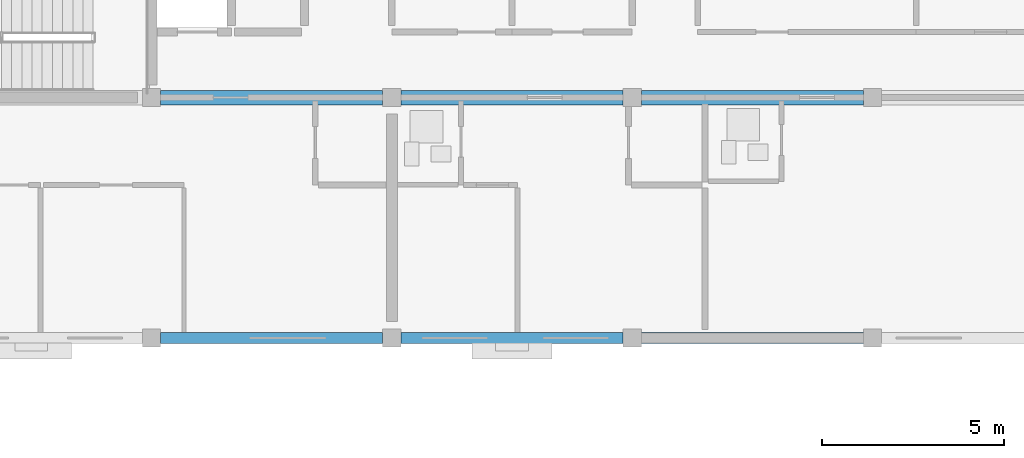
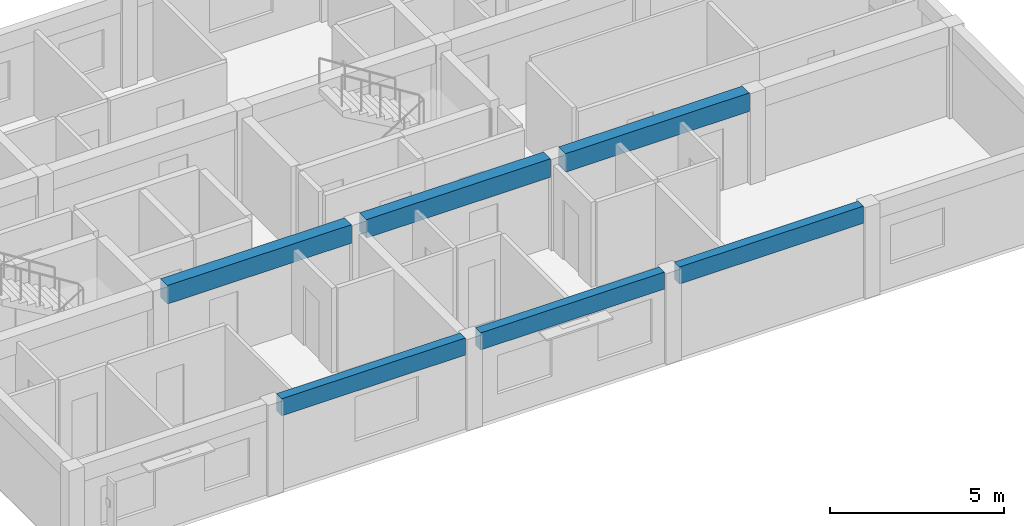
# One storey, part 19 of 49: 6 beams.
"""IFC4 building model written with IfcOpenShell, lengths in metres."""

import ifcopenshell
import ifcopenshell.guid

model = None  # the IFC model being written
_history = None  # IfcOwnerHistory: only IFC2X3 demands one
_inside = {}  # id of a spatial element -> (the spatial element, [elements in it])
_under = {}  # id of a project, library or spatial element -> (it, [spatial elements below it])
_declared = {}  # id of a project -> (the project, [libraries it declares])
_typed = {}  # id of a type object -> (the type object, [elements of that type])
_made_of = {}  # id of a material, layer set ... -> (it, [elements and type objects made of it])


def new_model(schema):
    """Start an empty IFC model of exactly this schema.

    Asked for "IFC4X3", IfcOpenShell would pick the latest addendum, in which some entities
    have other attributes; the version numbers below select the first issue.
    IFC2X3 requires an IfcOwnerHistory on every rooted entity: one is made here for all.
    """
    global model, _history
    if schema == "IFC4X3":
        model = ifcopenshell.file(schema_version=(4, 3, 0, 0))
    else:
        model = ifcopenshell.file(schema=schema)
    _inside.clear()
    _under.clear()
    _declared.clear()
    _typed.clear()
    _made_of.clear()
    _history = None
    if model.schema == "IFC2X3":
        org = make("IfcOrganization", Name="unknown")
        user = make(
            "IfcPersonAndOrganization",
            ThePerson=make("IfcPerson", FamilyName="unknown"),
            TheOrganization=org,
        )
        app = make(
            "IfcApplication",
            ApplicationDeveloper=org,
            Version="unknown",
            ApplicationFullName="unknown",
            ApplicationIdentifier="unknown",
        )
        _history = make(
            "IfcOwnerHistory",
            OwningUser=user,
            OwningApplication=app,
            ChangeAction="ADDED",
            CreationDate=0,
        )
    return model


def make(cls, **values):
    """One entity of the class cls with the attributes given. An attribute that is None is left unset."""
    return model.create_entity(
        cls, **{name: value for name, value in values.items() if value is not None}
    )


def rooted(cls, **values):
    """An entity with a GlobalId (a new one), such as an element, a storey or a relation."""
    return make(cls, GlobalId=ifcopenshell.guid.new(), OwnerHistory=_history, **values)


def si_unit(unit_type, name, prefix=None):
    """IfcSIUnit, for example si_unit("LENGTHUNIT", "METRE", prefix="MILLI")."""
    return make("IfcSIUnit", UnitType=unit_type, Prefix=prefix, Name=name)


def assignment(units):
    """IfcUnitAssignment: the units of a project."""
    return None if units is None else make("IfcUnitAssignment", Units=units)


def point(xyz):
    """IfcCartesianPoint."""
    return None if xyz is None else make("IfcCartesianPoint", Coordinates=xyz)


def direction(xyz):
    """IfcDirection."""
    return None if xyz is None else make("IfcDirection", DirectionRatios=xyz)


def frame(location, z_axis=None, x_axis=None):
    """IfcAxis2Placement3D, a coordinate frame: its origin and axes. An axis left out is left unset."""
    return make(
        "IfcAxis2Placement3D",
        Location=point(location),
        Axis=direction(z_axis),
        RefDirection=direction(x_axis),
    )


def frame_2d(location, x_axis=None):
    """IfcAxis2Placement2D, a coordinate frame in the plane: its origin and x axis."""
    return make(
        "IfcAxis2Placement2D", Location=point(location), RefDirection=direction(x_axis)
    )


def origin():
    """The frame at (0, 0, 0) with its axes left unset."""
    return frame((0.0, 0.0, 0.0))


def origin_2d():
    """The frame at (0, 0) in the plane with its x axis left unset."""
    return frame_2d((0.0, 0.0))


def place(relative_to, where):
    """IfcLocalPlacement: puts the frame where relative to a parent placement (None: the world)."""
    return make(
        "IfcLocalPlacement", PlacementRelTo=relative_to, RelativePlacement=where
    )


def context(
    kind, dimensions, precision=None, world=None, true_north=None, identifier=None
):
    """IfcGeometricRepresentationContext, for example the 3D "Model" context."""
    return make(
        "IfcGeometricRepresentationContext",
        ContextIdentifier=identifier,
        ContextType=kind,
        CoordinateSpaceDimension=dimensions,
        Precision=precision,
        WorldCoordinateSystem=world,
        TrueNorth=true_north,
    )


def subcontext(parent, identifier, kind, view, scale=None):
    """IfcGeometricRepresentationSubContext, for example "Body" below "Model"."""
    return make(
        "IfcGeometricRepresentationSubContext",
        ContextIdentifier=identifier,
        ContextType=kind,
        ParentContext=parent,
        TargetScale=scale,
        TargetView=view,
    )


def project(units=None, contexts=None):
    """IfcProject with its units and contexts."""
    return rooted(
        "IfcProject",
        Name="project",
        RepresentationContexts=contexts,
        UnitsInContext=assignment(units),
    )


def spatial(cls, under=None, at=None, **own):
    """A site, building, storey or space (cls), placed at a placement, below another one or the project."""
    s = rooted(cls, ObjectPlacement=at, **own)
    if under is not None:
        _under.setdefault(under.id(), (under, []))[1].append(s)
    return s


def profile(cls, at=None, kind="AREA", **sizes):
    """A parametric profile (cls). Its sizes go by their IFC names, for example OverallWidth=200.0."""
    return make(cls, ProfileType=kind, Position=at, **sizes)


def rectangle(**sizes):
    """IfcRectangleProfileDef."""
    return profile("IfcRectangleProfileDef", **sizes)


def extrude(swept, where, along, depth):
    """IfcExtrudedAreaSolid: the profile swept, set in the frame where, extruded along a direction by depth."""
    return make(
        "IfcExtrudedAreaSolid",
        SweptArea=swept,
        Position=where,
        ExtrudedDirection=direction(along),
        Depth=depth,
    )


def shape(context_of_items, identifier, shape_type, items):
    """IfcShapeRepresentation: the items that make up one representation, for example the "Body"."""
    return make(
        "IfcShapeRepresentation",
        ContextOfItems=context_of_items,
        RepresentationIdentifier=identifier,
        RepresentationType=shape_type,
        Items=items,
    )


def material(Name=None, Category=None):
    """IfcMaterial."""
    return make("IfcMaterial", Name=Name, Category=Category)


def material_profile(
    of_material, cross_section, Name=None, Category=None, Priority=None
):
    """IfcMaterialProfile: a cross section and its material."""
    return make(
        "IfcMaterialProfile",
        Name=Name,
        Material=of_material,
        Profile=cross_section,
        Priority=Priority,
        Category=Category,
    )


def profile_set(profiles, Name=None, composite=None):
    """IfcMaterialProfileSet."""
    return make(
        "IfcMaterialProfileSet",
        Name=Name,
        MaterialProfiles=profiles,
        CompositeProfile=composite,
    )


def made_of(thing, what):
    """Note that an element or type object is made of a material, layer set ...; save() writes the relation."""
    if what is not None:
        _made_of.setdefault(what.id(), (what, []))[1].append(thing)
    return thing


def type_object(cls, material=None, **own):
    """A type object (cls), such as IfcWallType, which elements share."""
    return made_of(rooted(cls, **own), material)


def element(
    cls,
    number,
    at=None,
    inside=None,
    cuts=None,
    type_object=None,
    material=None,
    context=None,
    identifier="Body",
    shape_type=None,
    held_by="IfcProductDefinitionShape",
    body=None,
    shapes=None,
    **own,
):
    """One element of the class cls, such as IfcWall. Its Tag is "e" and its number.

    at: its placement. inside: the storey or other place that contains it. cuts: it is an
    opening in that element (IfcRelVoidsElement). A single representation is given by context,
    identifier, shape_type and body (its items); several are given by shapes. held_by: the class
    of the entity that holds the representations. save() writes the other relations.
    """
    e = rooted(cls, Tag="e%d" % number, ObjectPlacement=at, **own)
    if body is not None:
        shapes = [shape(context, identifier, shape_type, body)]
    if shapes is not None:
        e.Representation = make(held_by, Representations=shapes)
    if inside is not None:
        _inside.setdefault(inside.id(), (inside, []))[1].append(e)
    if cuts is not None:
        rooted(
            "IfcRelVoidsElement", RelatingBuildingElement=cuts, RelatedOpeningElement=e
        )
    if type_object is not None:
        _typed.setdefault(type_object.id(), (type_object, []))[1].append(e)
    return made_of(e, material)


def aggregate(whole, parts):
    """IfcRelAggregates: a whole, such as a stair, and the parts it consists of."""
    return rooted("IfcRelAggregates", RelatingObject=whole, RelatedObjects=parts)


def save(model, path):
    """Write the relations noted so far, then the file.

    IfcRelAggregates (storeys below a building ...), IfcRelContainedInSpatialStructure (elements
    in a storey), IfcRelDefinesByType, IfcRelAssociatesMaterial and IfcRelDeclares: one each for
    every whole, place, type object, material and project.
    """
    for whole, parts in _under.values():
        aggregate(whole, parts)
    for where, things in _inside.values():
        rooted(
            "IfcRelContainedInSpatialStructure",
            RelatedElements=things,
            RelatingStructure=where,
        )
    for kind, things in _typed.values():
        rooted("IfcRelDefinesByType", RelatedObjects=things, RelatingType=kind)
    for what, things in _made_of.values():
        rooted("IfcRelAssociatesMaterial", RelatedObjects=things, RelatingMaterial=what)
    for by, libraries in _declared.values():
        rooted("IfcRelDeclares", RelatingContext=by, RelatedDefinitions=libraries)
    model.write(path)


model = new_model("IFC4")

# Units and contexts
model_context = context("Model", 3, precision=1e-05, world=origin(), true_north=direction((0.0, 1.0)))
body_context = subcontext(model_context, "Body", "Model", "MODEL_VIEW")
ifc_project = project(units=[si_unit("LENGTHUNIT", "METRE"), si_unit("AREAUNIT", "SQUARE_METRE"), si_unit("VOLUMEUNIT", "CUBIC_METRE"), si_unit("PLANEANGLEUNIT", "RADIAN"), si_unit("MASSUNIT", "GRAM", prefix="KILO")], contexts=[model_context])

# Site, building, storey
site_placement = place(None, origin())
site = spatial("IfcSite", under=ifc_project, at=site_placement, CompositionType="ELEMENT")
building_placement = place(site_placement, origin())
building = spatial("IfcBuilding", under=site, at=building_placement, Name="Kernevlak Ridge Housing Community", CompositionType="ELEMENT")
storey_placement = place(building_placement, frame((0.0, 0.0, 30.800048828125)))
storey = spatial("IfcBuildingStorey", under=building, at=storey_placement, Name="L09", CompositionType="ELEMENT", Elevation=30.800048828125)

# Beams
ifc_material = material(Name="Concrete C35/45", Category="concrete")
ifc_material_profile_1 = material_profile(ifc_material, rectangle(XDim=0.39990234375, YDim=0.64990234375, at=origin_2d()), Name="RC 400x650")
ifc_profile_set_1 = profile_set([ifc_material_profile_1], Name="Concrete C35/45")
beam_type_1 = type_object("IfcBeamType", Name="B-03", PredefinedType="T_BEAM", material=ifc_profile_set_1)
beam_1_placement = place(storey_placement, frame((126.25, 89.199951171875, 2.875), z_axis=(1.0, 0.0, 0.0), x_axis=(0.0, 1.0, 0.0)))
element("IfcBeam", 1, at=beam_1_placement, inside=storey, type_object=beam_type_1, Name="Beam B-03 L09 817", PredefinedType="T_BEAM", context=body_context, shape_type="SweptSolid", body=[
    extrude(rectangle(XDim=0.39990234375, YDim=0.64990234375, at=origin_2d()), origin(), (0.0, 0.0, 1.0), 6.10009765625),
])
beam_2_placement = place(storey_placement, frame((132.85009765625, 89.199951171875, 2.875), z_axis=(1.0, 0.0, 0.0), x_axis=(0.0, 1.0, 0.0)))
element("IfcBeam", 2, at=beam_2_placement, inside=storey, type_object=beam_type_1, Name="Beam B-03 L09 818", PredefinedType="T_BEAM", context=body_context, shape_type="SweptSolid", body=[
    extrude(rectangle(XDim=0.39990234375, YDim=0.64990234375, at=origin_2d()), origin(), (0.0, 0.0, 1.0), 6.099853515625),
])
beam_3_placement = place(storey_placement, frame((139.449951171875, 89.199951171875, 2.875), z_axis=(1.0, 0.0, 0.0), x_axis=(0.0, 1.0, 0.0)))
element("IfcBeam", 3, at=beam_3_placement, inside=storey, type_object=beam_type_1, Name="Beam B-03 L09 819", PredefinedType="T_BEAM", context=body_context, shape_type="SweptSolid", body=[
    extrude(rectangle(XDim=0.39990234375, YDim=0.64990234375, at=origin_2d()), origin(), (0.0, 0.0, 1.0), 6.10009765625),
])
ifc_material_profile_2 = material_profile(ifc_material, rectangle(XDim=0.300048828125, YDim=0.60009765625, at=origin_2d()), Name="RC 300x600")
ifc_profile_set_2 = profile_set([ifc_material_profile_2], Name="Concrete C35/45")
beam_type_2 = type_object("IfcBeamType", Name="SP-02", PredefinedType="SPANDREL", material=ifc_profile_set_2)
beam_4_placement = place(storey_placement, frame((126.25, 82.60009765625, 2.89990234375), z_axis=(1.0, 0.0, 0.0), x_axis=(0.0, 1.0, 0.0)))
element("IfcBeam", 4, at=beam_4_placement, inside=storey, type_object=beam_type_2, Name="Beam SP-02 L09 812", PredefinedType="SPANDREL", context=body_context, shape_type="SweptSolid", body=[
    extrude(rectangle(XDim=0.300048828125, YDim=0.60009765625, at=origin_2d()), origin(), (0.0, 0.0, 1.0), 6.10009765625),
])
beam_5_placement = place(storey_placement, frame((132.85009765625, 82.60009765625, 2.89990234375), z_axis=(1.0, 0.0, 0.0), x_axis=(0.0, 1.0, 0.0)))
element("IfcBeam", 5, at=beam_5_placement, inside=storey, type_object=beam_type_2, Name="Beam SP-02 L09 813", PredefinedType="SPANDREL", context=body_context, shape_type="SweptSolid", body=[
    extrude(rectangle(XDim=0.300048828125, YDim=0.60009765625, at=origin_2d()), origin(), (0.0, 0.0, 1.0), 6.099853515625),
])
beam_6_placement = place(storey_placement, frame((139.449951171875, 82.60009765625, 2.89990234375), z_axis=(1.0, 0.0, 0.0), x_axis=(0.0, 1.0, 0.0)))
element("IfcBeam", 6, at=beam_6_placement, inside=storey, type_object=beam_type_2, Name="Beam SP-02 L09 814", PredefinedType="SPANDREL", context=body_context, shape_type="SweptSolid", body=[
    extrude(rectangle(XDim=0.300048828125, YDim=0.60009765625, at=origin_2d()), origin(), (0.0, 0.0, 1.0), 6.10009765625),
])

save(model, "model.ifc")
